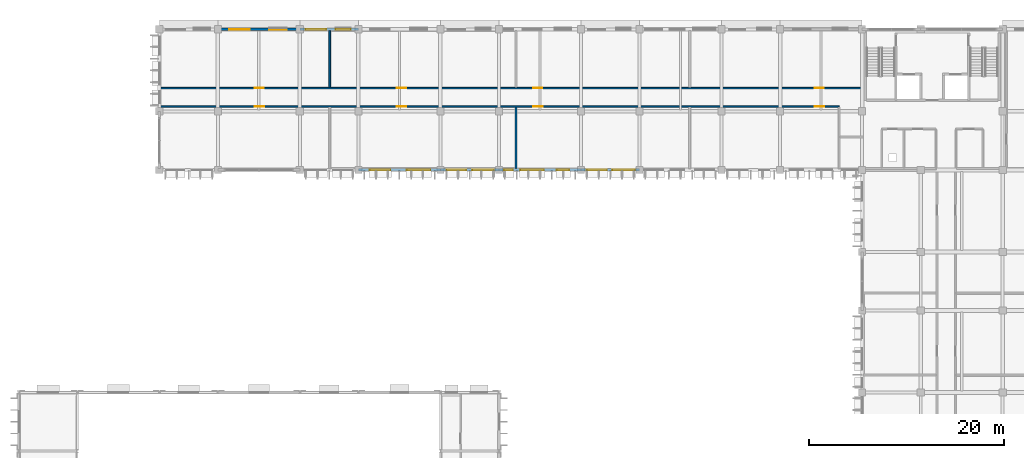
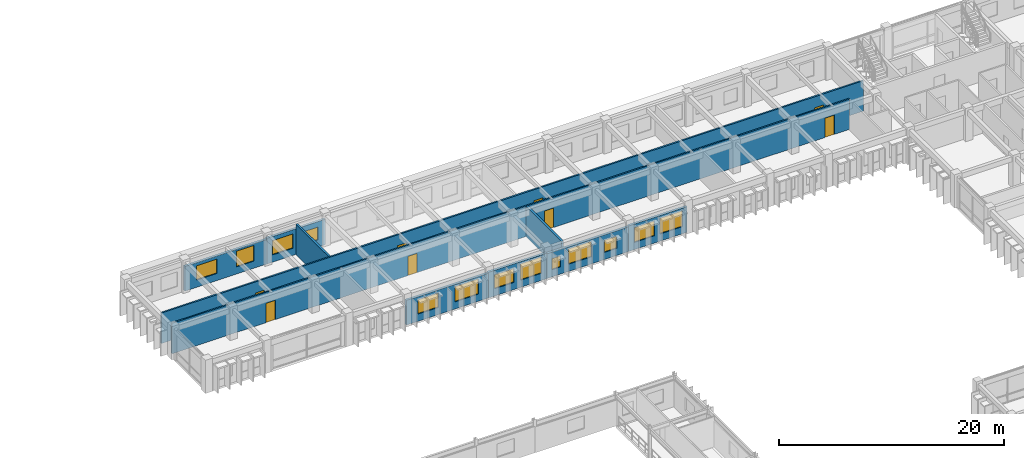
# One storey, part 59 of 88: 13 windows, 10 walls, 8 doors, 21 openings.
"""IFC4 building model written with IfcOpenShell, lengths in metres."""

from ifc_helpers import new_model, si_unit, direction, frame, frame_2d, origin, place, context, subcontext, project, spatial, rectangle, extrude, material, layer, layer_set, type_object, element, fill, save


model = new_model("IFC4")

# Units and contexts
model_context = context("Model", 3, precision=1e-05, world=origin(), true_north=direction((0.0, 1.0)))
body_context = subcontext(model_context, "Body", "Model", "MODEL_VIEW")
ifc_project = project(units=[si_unit("LENGTHUNIT", "METRE"), si_unit("AREAUNIT", "SQUARE_METRE"), si_unit("VOLUMEUNIT", "CUBIC_METRE"), si_unit("PLANEANGLEUNIT", "RADIAN"), si_unit("MASSUNIT", "GRAM", prefix="KILO"), si_unit("THERMODYNAMICTEMPERATUREUNIT", "KELVIN")], contexts=[model_context])

# Site, building, storey
site_placement = place(None, origin())
site = spatial("IfcSite", under=ifc_project, at=site_placement, CompositionType="ELEMENT")
building_placement = place(site_placement, origin())
building = spatial("IfcBuilding", under=site, at=building_placement, Name="Thalorik Housing Commons", CompositionType="ELEMENT")
storey_placement = place(building_placement, frame((0.0, 0.0, 4.5)))
storey = spatial("IfcBuildingStorey", under=building, at=storey_placement, Name="L01", CompositionType="ELEMENT", Elevation=4.5)

# Wall, openings, doors
ifc_material_1 = material(Name="Masonry fire-rated corridor wall", Category="masonry")
ifc_layer_1 = layer(ifc_material_1, 0.14990234375, Name="Masonry fire-rated corridor wall", Category="masonry")
ifc_layer_set_1 = layer_set([ifc_layer_1], Name="Masonry fire-rated corridor wall")
wall_type_1 = type_object("IfcWallType", Name="ARC-WAL-CORR-150", PredefinedType="PARTITIONING", material=ifc_layer_set_1)
wall_1_placement = place(storey_placement, frame((80.5244140625, 115.719970703125, 0.0), z_axis=(0.0, 0.0, 1.0), x_axis=(1.0, 0.0, 0.0)))
wall_1 = element("IfcWall", 1, at=wall_1_placement, inside=storey, type_object=wall_type_1, Name="L01 Block B N Corridor Wall 1", PredefinedType="PARTITIONING", context=body_context, shape_type="SweptSolid", body=[
    extrude(rectangle(XDim=69.525634765625, YDim=0.14990234375, at=frame_2d((34.7626953125, 0.0))), origin(), (0.0, 0.0, 1.0), 3.300048828125),
])
opening_1_placement = place(wall_1_placement, frame((9.65576171875, 0.0, 0.0)))
opening_1 = element("IfcOpeningElement", 2, at=opening_1_placement, cuts=wall_1, Name="Opening ID-1010", PredefinedType="OPENING", context=body_context, shape_type="SweptSolid", body=[
    extrude(rectangle(XDim=0.949951171875, YDim=2.10009765625, at=frame_2d((0.47509765625, 1.050048828125))), frame((0.0, 0.0849609375, 0.0), z_axis=(0.0, -1.0, 0.0), x_axis=(1.0, 0.0, 0.0)), (0.0, 0.0, 1.0), 0.169921875),
])
opening_2_placement = place(wall_1_placement, frame((24.200439453125, 0.0, 0.0)))
opening_2 = element("IfcOpeningElement", 3, at=opening_2_placement, cuts=wall_1, Name="Opening ID-1011", PredefinedType="OPENING", context=body_context, shape_type="SweptSolid", body=[
    extrude(rectangle(XDim=0.949951171875, YDim=2.10009765625, at=frame_2d((0.47509765625, 1.050048828125))), frame((0.0, 0.0849609375, 0.0), z_axis=(0.0, -1.0, 0.0), x_axis=(1.0, 0.0, 0.0)), (0.0, 0.0, 1.0), 0.169921875),
])
opening_3_placement = place(wall_1_placement, frame((38.20751953125, 0.0, 0.0)))
opening_3 = element("IfcOpeningElement", 4, at=opening_3_placement, cuts=wall_1, Name="Opening ID-1012", PredefinedType="OPENING", context=body_context, shape_type="SweptSolid", body=[
    extrude(rectangle(XDim=0.949951171875, YDim=2.10009765625, at=frame_2d((0.47509765625, 1.050048828125))), frame((0.0, 0.0849609375, 0.0), z_axis=(0.0, -1.0, 0.0), x_axis=(1.0, 0.0, 0.0)), (0.0, 0.0, 1.0), 0.169921875),
])
opening_4_placement = place(wall_1_placement, frame((67.026123046875, 0.0, 0.0)))
opening_4 = element("IfcOpeningElement", 5, at=opening_4_placement, cuts=wall_1, Name="Opening ID-1013", PredefinedType="OPENING", context=body_context, shape_type="SweptSolid", body=[
    extrude(rectangle(XDim=0.949951171875, YDim=2.10009765625, at=frame_2d((0.47509765625, 1.050048828125))), frame((0.0, 0.0849609375, 0.0), z_axis=(0.0, -1.0, 0.0), x_axis=(1.0, 0.0, 0.0)), (0.0, 0.0, 1.0), 0.169921875),
])
ifc_material_2 = material(Name="Steel S355", Category="steel")
door_type_1 = type_object("IfcDoorType", Name="ARC-DR-FD60-950", OperationType="NOTDEFINED", PredefinedType="DOOR", material=ifc_material_2)
door_1_placement = place(opening_1_placement, origin())
door_1 = element("IfcDoor", 6, at=door_1_placement, inside=storey, type_object=door_type_1, Name="L01 Community Study Hall Entrance Door", OperationType="SINGLE_SWING_LEFT", OverallHeight=2.10009765625, OverallWidth=0.949951171875, PredefinedType="DOOR", context=body_context, shape_type="SweptSolid", body=[
    extrude(rectangle(XDim=0.949951171875, YDim=2.10009765625, at=frame_2d((0.47509765625, 1.050048828125))), frame((0.0, 0.02490234375, 0.0), z_axis=(0.0, -1.0, 0.0), x_axis=(1.0, 0.0, 0.0)), (0.0, 0.0, 1.0), 0.050048828125),
])
fill(opening_1, door_1)
door_2_placement = place(opening_2_placement, origin())
door_2 = element("IfcDoor", 7, at=door_2_placement, inside=storey, type_object=door_type_1, Name="L01 Shared Sewing Workshop Entrance Door", OperationType="SINGLE_SWING_RIGHT", OverallHeight=2.10009765625, OverallWidth=0.949951171875, PredefinedType="DOOR", context=body_context, shape_type="SweptSolid", body=[
    extrude(rectangle(XDim=0.949951171875, YDim=2.10009765625, at=frame_2d((0.47509765625, 1.050048828125))), frame((0.0, 0.02490234375, 0.0), z_axis=(0.0, -1.0, 0.0), x_axis=(1.0, 0.0, 0.0)), (0.0, 0.0, 1.0), 0.050048828125),
])
fill(opening_2, door_2)
door_3_placement = place(opening_3_placement, origin())
door_3 = element("IfcDoor", 8, at=door_3_placement, inside=storey, type_object=door_type_1, Name="L01 Digital Media Room Entrance Door", OperationType="SINGLE_SWING_LEFT", OverallHeight=2.10009765625, OverallWidth=0.949951171875, PredefinedType="DOOR", context=body_context, shape_type="SweptSolid", body=[
    extrude(rectangle(XDim=0.949951171875, YDim=2.10009765625, at=frame_2d((0.47509765625, 1.050048828125))), frame((0.0, 0.02490234375, 0.0), z_axis=(0.0, -1.0, 0.0), x_axis=(1.0, 0.0, 0.0)), (0.0, 0.0, 1.0), 0.050048828125),
])
fill(opening_3, door_3)
door_4_placement = place(opening_4_placement, origin())
door_4 = element("IfcDoor", 9, at=door_4_placement, inside=storey, type_object=door_type_1, Name="L01 Youth Reading Room Entrance Door", OperationType="SINGLE_SWING_RIGHT", OverallHeight=2.10009765625, OverallWidth=0.949951171875, PredefinedType="DOOR", context=body_context, shape_type="SweptSolid", body=[
    extrude(rectangle(XDim=0.949951171875, YDim=2.10009765625, at=frame_2d((0.47509765625, 1.050048828125))), frame((0.0, 0.02490234375, 0.0), z_axis=(0.0, -1.0, 0.0), x_axis=(1.0, 0.0, 0.0)), (0.0, 0.0, 1.0), 0.050048828125),
])
fill(opening_4, door_4)

ifc_layer_2 = layer(ifc_material_1, 0.1650390625, Name="Masonry fire-rated corridor wall", Category="masonry")
ifc_layer_set_2 = layer_set([ifc_layer_2], Name="Masonry fire-rated corridor wall")
wall_type_2 = type_object("IfcWallType", Name="ARC-WAL-CORR-165", PredefinedType="PARTITIONING", material=ifc_layer_set_2)
wall_2_placement = place(storey_placement, frame((80.5244140625, 117.580078125, 0.0), z_axis=(0.0, 0.0, 1.0), x_axis=(1.0, 0.0, 0.0)))
wall_2 = element("IfcWall", 10, at=wall_2_placement, inside=storey, type_object=wall_type_2, Name="L01 Block B N Corridor Wall 2", PredefinedType="PARTITIONING", context=body_context, shape_type="SweptSolid", body=[
    extrude(rectangle(XDim=72.015625, YDim=0.1650390625, at=frame_2d((36.0078125, 0.0))), origin(), (0.0, 0.0, 1.0), 3.300048828125),
])
opening_5_placement = place(wall_2_placement, frame((9.64990234375, 0.0, 0.0)))
opening_5 = element("IfcOpeningElement", 11, at=opening_5_placement, cuts=wall_2, Name="Opening ID-1014", PredefinedType="OPENING", context=body_context, shape_type="SweptSolid", body=[
    extrude(rectangle(XDim=0.919921875, YDim=2.10009765625, at=frame_2d((0.4599609375, 1.050048828125))), frame((0.0, 0.092529296875, 0.0), z_axis=(0.0, -1.0, 0.0), x_axis=(1.0, 0.0, 0.0)), (0.0, 0.0, 1.0), 0.18505859375),
])
opening_6_placement = place(wall_2_placement, frame((24.19677734375, 0.0, 0.0)))
opening_6 = element("IfcOpeningElement", 12, at=opening_6_placement, cuts=wall_2, Name="Opening ID-1015", PredefinedType="OPENING", context=body_context, shape_type="SweptSolid", body=[
    extrude(rectangle(XDim=0.9599609375, YDim=2.1201171875, at=frame_2d((0.47998046875, 1.06005859375))), frame((0.0, 0.092529296875, 0.0), z_axis=(0.0, -1.0, 0.0), x_axis=(1.0, 0.0, 0.0)), (0.0, 0.0, 1.0), 0.18505859375),
])
opening_7_placement = place(wall_2_placement, frame((38.206298828125, 0.0, 0.0)))
opening_7 = element("IfcOpeningElement", 13, at=opening_7_placement, cuts=wall_2, Name="Opening ID-1016", PredefinedType="OPENING", context=body_context, shape_type="SweptSolid", body=[
    extrude(rectangle(XDim=0.919921875, YDim=2.10009765625, at=frame_2d((0.4599609375, 1.050048828125))), frame((0.0, 0.092529296875, 0.0), z_axis=(0.0, -1.0, 0.0), x_axis=(1.0, 0.0, 0.0)), (0.0, 0.0, 1.0), 0.18505859375),
])
opening_8_placement = place(wall_2_placement, frame((67.01708984375, 0.0, 0.0)))
opening_8 = element("IfcOpeningElement", 14, at=opening_8_placement, cuts=wall_2, Name="Opening ID-1017", PredefinedType="OPENING", context=body_context, shape_type="SweptSolid", body=[
    extrude(rectangle(XDim=0.919921875, YDim=2.10009765625, at=frame_2d((0.4599609375, 1.050048828125))), frame((0.0, 0.092529296875, 0.0), z_axis=(0.0, -1.0, 0.0), x_axis=(1.0, 0.0, 0.0)), (0.0, 0.0, 1.0), 0.18505859375),
])
ifc_material_3 = material(Name="Solid core hardwood timber", Category="wood")
door_type_2 = type_object("IfcDoorType", Name="ARC-DR-FD30-920", OperationType="NOTDEFINED", PredefinedType="DOOR", material=ifc_material_3)
door_5_placement = place(opening_5_placement, origin())
door_5 = element("IfcDoor", 15, at=door_5_placement, inside=storey, type_object=door_type_2, Name="L01 Music and Craft Practice Room Door", OperationType="SINGLE_SWING_LEFT", OverallHeight=2.10009765625, OverallWidth=0.919921875, PredefinedType="DOOR", context=body_context, shape_type="SweptSolid", body=[
    extrude(rectangle(XDim=0.919921875, YDim=2.10009765625, at=frame_2d((0.4599609375, 1.050048828125))), frame((0.0, 0.02490234375, 0.0), z_axis=(0.0, -1.0, 0.0), x_axis=(1.0, 0.0, 0.0)), (0.0, 0.0, 1.0), 0.050048828125),
])
fill(opening_5, door_5)
door_6_placement = place(opening_7_placement, origin())
door_6 = element("IfcDoor", 16, at=door_6_placement, inside=storey, type_object=door_type_2, Name="L01 Residents Health and Quiet Room Door", OperationType="SINGLE_SWING_LEFT", OverallHeight=2.10009765625, OverallWidth=0.919921875, PredefinedType="DOOR", context=body_context, shape_type="SweptSolid", body=[
    extrude(rectangle(XDim=0.919921875, YDim=2.10009765625, at=frame_2d((0.4599609375, 1.050048828125))), frame((0.0, 0.02490234375, 0.0), z_axis=(0.0, -1.0, 0.0), x_axis=(1.0, 0.0, 0.0)), (0.0, 0.0, 1.0), 0.050048828125),
])
fill(opening_7, door_6)
door_7_placement = place(opening_8_placement, origin())
door_7 = element("IfcDoor", 17, at=door_7_placement, inside=storey, type_object=door_type_2, Name="L01 Residents Study Room Door", OperationType="SINGLE_SWING_RIGHT", OverallHeight=2.10009765625, OverallWidth=0.919921875, PredefinedType="DOOR", context=body_context, shape_type="SweptSolid", body=[
    extrude(rectangle(XDim=0.919921875, YDim=2.10009765625, at=frame_2d((0.4599609375, 1.050048828125))), frame((0.0, 0.02490234375, 0.0), z_axis=(0.0, -1.0, 0.0), x_axis=(1.0, 0.0, 0.0)), (0.0, 0.0, 1.0), 0.050048828125),
])
fill(opening_8, door_7)
door_type_3 = type_object("IfcDoorType", Name="ARC-DR-FD30-960", OperationType="NOTDEFINED", PredefinedType="DOOR", material=ifc_material_3)
door_8_placement = place(opening_6_placement, origin())
door_8 = element("IfcDoor", 18, at=door_8_placement, inside=storey, type_object=door_type_3, Name="L01 Ceramics and Print Workshop Door", OperationType="SINGLE_SWING_RIGHT", OverallHeight=2.1201171875, OverallWidth=0.9599609375, PredefinedType="DOOR", context=body_context, shape_type="SweptSolid", body=[
    extrude(rectangle(XDim=0.9599609375, YDim=2.1201171875, at=frame_2d((0.47998046875, 1.06005859375))), frame((0.0, 0.02490234375, 0.0), z_axis=(0.0, -1.0, 0.0), x_axis=(1.0, 0.0, 0.0)), (0.0, 0.0, 1.0), 0.050048828125),
])
fill(opening_6, door_8)

# Wall, openings, windows
ifc_material_4 = material(Name="White precast concrete C40/50", Category="concrete")
ifc_layer_3 = layer(ifc_material_4, 0.2451171875, Name="White precast concrete C40/50", Category="concrete")
ifc_layer_set_3 = layer_set([ifc_layer_3], Name="White precast concrete C40/50")
wall_type_3 = type_object("IfcWallType", Name="ARC-WAL-EXT-245", PredefinedType="STANDARD", material=ifc_layer_set_3)
wall_3_placement = place(storey_placement, frame((100.800048828125, 123.60009765625, 0.0), z_axis=(0.0, 0.0, 1.0), x_axis=(-1.0, 0.0, 0.0)))
wall_3 = element("IfcWall", 19, at=wall_3_placement, inside=storey, type_object=wall_type_3, Name="L01 Exterior Wall WAL-EXT-L01-B-0419", PredefinedType="STANDARD", context=body_context, shape_type="SweptSolid", body=[
    extrude(rectangle(XDim=6.0, YDim=0.2451171875, at=frame_2d((3.0, 0.0))), origin(), (0.0, 0.0, 1.0), 2.77490234375),
])
opening_9_placement = place(wall_3_placement, frame((0.7900390625, 0.0, 0.780029296875)))
opening_9 = element("IfcOpeningElement", 20, at=opening_9_placement, cuts=wall_3, Name="Opening W-12", PredefinedType="OPENING", context=body_context, shape_type="SweptSolid", body=[
    extrude(rectangle(XDim=1.550048828125, YDim=1.39990234375, at=frame_2d((0.77490234375, 0.699951171875))), frame((0.0, 0.132568359375, 0.0), z_axis=(0.0, -1.0, 0.0), x_axis=(1.0, 0.0, 0.0)), (0.0, 0.0, 1.0), 0.26513671875),
])
opening_10_placement = place(wall_3_placement, frame((3.324951171875, 0.0, 0.780029296875)))
opening_10 = element("IfcOpeningElement", 21, at=opening_10_placement, cuts=wall_3, Name="Opening W-26", PredefinedType="OPENING", context=body_context, shape_type="SweptSolid", body=[
    extrude(rectangle(XDim=2.10009765625, YDim=1.550048828125, at=frame_2d((1.050048828125, 0.77490234375))), frame((0.0, 0.132568359375, 0.0), z_axis=(0.0, -1.0, 0.0), x_axis=(1.0, 0.0, 0.0)), (0.0, 0.0, 1.0), 0.26513671875),
])
ifc_material_5 = material(Name="Anodised aluminium and solar-control low-E glass", Category="aluminium")
window_type_1 = type_object("IfcWindowType", Name="ARC-WIN-12", PartitioningType="SINGLE_PANEL", PredefinedType="WINDOW", material=ifc_material_5)
window_1_placement = place(opening_9_placement, origin())
window_1 = element("IfcWindow", 22, at=window_1_placement, inside=storey, type_object=window_type_1, Name="L01 Facade Window 746", OverallHeight=1.39990234375, OverallWidth=1.550048828125, PartitioningType="SINGLE_PANEL", PredefinedType="WINDOW", context=body_context, shape_type="SweptSolid", body=[
    extrude(rectangle(XDim=1.550048828125, YDim=1.39990234375, at=frame_2d((0.77490234375, 0.699951171875))), frame((0.0, 0.030029296875, 0.0), z_axis=(0.0, -1.0, 0.0), x_axis=(1.0, 0.0, 0.0)), (0.0, 0.0, 1.0), 0.06005859375),
])
fill(opening_9, window_1)
window_type_2 = type_object("IfcWindowType", Name="ARC-WIN-26", PartitioningType="DOUBLE_PANEL_VERTICAL", PredefinedType="WINDOW", material=ifc_material_5)
window_2_placement = place(opening_10_placement, origin())
window_2 = element("IfcWindow", 23, at=window_2_placement, inside=storey, type_object=window_type_2, Name="L01 Facade Window 747", OverallHeight=1.550048828125, OverallWidth=2.10009765625, PartitioningType="DOUBLE_PANEL_VERTICAL", PredefinedType="WINDOW", context=body_context, shape_type="SweptSolid", body=[
    extrude(rectangle(XDim=2.10009765625, YDim=1.550048828125, at=frame_2d((1.050048828125, 0.77490234375))), frame((0.0, 0.030029296875, 0.0), z_axis=(0.0, -1.0, 0.0), x_axis=(1.0, 0.0, 0.0)), (0.0, 0.0, 1.0), 0.06005859375),
])
fill(opening_10, window_2)

wall_4_placement = place(storey_placement, frame((94.800048828125, 123.60009765625, 0.0), z_axis=(0.0, 0.0, 1.0), x_axis=(-1.0, 0.0, 0.0)))
wall_4 = element("IfcWall", 24, at=wall_4_placement, inside=storey, type_object=wall_type_3, Name="L01 Exterior Wall WAL-EXT-L01-B-0420", PredefinedType="STANDARD", context=body_context, shape_type="SweptSolid", body=[
    extrude(rectangle(XDim=8.400146484375, YDim=0.2451171875, at=frame_2d((4.2001953125, 0.0))), origin(), (0.0, 0.0, 1.0), 2.675048828125),
])
opening_11_placement = place(wall_4_placement, frame((1.330078125, 0.0, 0.780029296875)))
opening_11 = element("IfcOpeningElement", 25, at=opening_11_placement, cuts=wall_4, Name="Opening W-19", PredefinedType="OPENING", context=body_context, shape_type="SweptSolid", body=[
    extrude(rectangle(XDim=1.800048828125, YDim=1.699951171875, at=frame_2d((0.89990234375, 0.85009765625))), frame((0.0, 0.132568359375, 0.0), z_axis=(0.0, -1.0, 0.0), x_axis=(1.0, 0.0, 0.0)), (0.0, 0.0, 1.0), 0.26513671875),
])
opening_12_placement = place(wall_4_placement, frame((5.1201171875, 0.0, 0.780029296875)))
opening_12 = element("IfcOpeningElement", 26, at=opening_12_placement, cuts=wall_4, Name="Opening W-26", PredefinedType="OPENING", context=body_context, shape_type="SweptSolid", body=[
    extrude(rectangle(XDim=2.10009765625, YDim=1.550048828125, at=frame_2d((1.050048828125, 0.77490234375))), frame((0.0, 0.132568359375, 0.0), z_axis=(0.0, -1.0, 0.0), x_axis=(1.0, 0.0, 0.0)), (0.0, 0.0, 1.0), 0.26513671875),
])
window_type_3 = type_object("IfcWindowType", Name="ARC-WIN-19", PartitioningType="DOUBLE_PANEL_VERTICAL", PredefinedType="WINDOW", material=ifc_material_5)
window_3_placement = place(opening_11_placement, origin())
window_3 = element("IfcWindow", 27, at=window_3_placement, inside=storey, type_object=window_type_3, Name="L01 Facade Window 748", OverallHeight=1.699951171875, OverallWidth=1.800048828125, PartitioningType="DOUBLE_PANEL_VERTICAL", PredefinedType="WINDOW", context=body_context, shape_type="SweptSolid", body=[
    extrude(rectangle(XDim=1.800048828125, YDim=1.699951171875, at=frame_2d((0.89990234375, 0.85009765625))), frame((0.0, 0.030029296875, 0.0), z_axis=(0.0, -1.0, 0.0), x_axis=(1.0, 0.0, 0.0)), (0.0, 0.0, 1.0), 0.06005859375),
])
fill(opening_11, window_3)
window_4_placement = place(opening_12_placement, origin())
window_4 = element("IfcWindow", 28, at=window_4_placement, inside=storey, type_object=window_type_2, Name="L01 Facade Window 749", OverallHeight=1.550048828125, OverallWidth=2.10009765625, PartitioningType="DOUBLE_PANEL_VERTICAL", PredefinedType="WINDOW", context=body_context, shape_type="SweptSolid", body=[
    extrude(rectangle(XDim=2.10009765625, YDim=1.550048828125, at=frame_2d((1.050048828125, 0.77490234375))), frame((0.0, 0.030029296875, 0.0), z_axis=(0.0, -1.0, 0.0), x_axis=(1.0, 0.0, 0.0)), (0.0, 0.0, 1.0), 0.06005859375),
])
fill(opening_12, window_4)

wall_5_placement = place(storey_placement, frame((100.800048828125, 109.199951171875, 0.0), z_axis=(0.0, 0.0, 1.0), x_axis=(1.0, 0.0, 0.0)))
wall_5 = element("IfcWall", 29, at=wall_5_placement, inside=storey, type_object=wall_type_3, Name="L01 Exterior Wall WAL-EXT-L01-B-0427", PredefinedType="STANDARD", context=body_context, shape_type="SweptSolid", body=[
    extrude(rectangle(XDim=8.39990234375, YDim=0.2451171875, at=frame_2d((4.199951171875, 0.0))), origin(), (0.0, 0.0, 1.0), 2.675048828125),
])
opening_13_placement = place(wall_5_placement, frame((1.179931640625, 0.0, 0.780029296875)))
opening_13 = element("IfcOpeningElement", 30, at=opening_13_placement, cuts=wall_5, Name="Opening W-26", PredefinedType="OPENING", context=body_context, shape_type="SweptSolid", body=[
    extrude(rectangle(XDim=2.10009765625, YDim=1.550048828125, at=frame_2d((1.050048828125, 0.77490234375))), frame((0.0, 0.132568359375, 0.0), z_axis=(0.0, -1.0, 0.0), x_axis=(1.0, 0.0, 0.0)), (0.0, 0.0, 1.0), 0.26513671875),
])
opening_14_placement = place(wall_5_placement, frame((4.969970703125, 0.0, 0.780029296875)))
opening_14 = element("IfcOpeningElement", 31, at=opening_14_placement, cuts=wall_5, Name="Opening W-34", PredefinedType="OPENING", context=body_context, shape_type="SweptSolid", body=[
    extrude(rectangle(XDim=2.39990234375, YDim=1.64990234375, at=frame_2d((1.199951171875, 0.824951171875))), frame((0.0, 0.132568359375, 0.0), z_axis=(0.0, -1.0, 0.0), x_axis=(1.0, 0.0, 0.0)), (0.0, 0.0, 1.0), 0.26513671875),
])
window_5_placement = place(opening_13_placement, origin())
window_5 = element("IfcWindow", 32, at=window_5_placement, inside=storey, type_object=window_type_2, Name="L01 Facade Window 759", OverallHeight=1.550048828125, OverallWidth=2.10009765625, PartitioningType="DOUBLE_PANEL_VERTICAL", PredefinedType="WINDOW", context=body_context, shape_type="SweptSolid", body=[
    extrude(rectangle(XDim=2.10009765625, YDim=1.550048828125, at=frame_2d((1.050048828125, 0.77490234375))), frame((0.0, 0.030029296875, 0.0), z_axis=(0.0, -1.0, 0.0), x_axis=(1.0, 0.0, 0.0)), (0.0, 0.0, 1.0), 0.06005859375),
])
fill(opening_13, window_5)
window_type_4 = type_object("IfcWindowType", Name="ARC-WIN-34", PartitioningType="DOUBLE_PANEL_VERTICAL", PredefinedType="WINDOW", material=ifc_material_5)
window_6_placement = place(opening_14_placement, origin())
window_6 = element("IfcWindow", 33, at=window_6_placement, inside=storey, type_object=window_type_4, Name="L01 Facade Window 760", OverallHeight=1.64990234375, OverallWidth=2.39990234375, PartitioningType="DOUBLE_PANEL_VERTICAL", PredefinedType="WINDOW", context=body_context, shape_type="SweptSolid", body=[
    extrude(rectangle(XDim=2.39990234375, YDim=1.64990234375, at=frame_2d((1.199951171875, 0.824951171875))), frame((0.0, 0.030029296875, 0.0), z_axis=(0.0, -1.0, 0.0), x_axis=(1.0, 0.0, 0.0)), (0.0, 0.0, 1.0), 0.06005859375),
])
fill(opening_14, window_6)

wall_6_placement = place(storey_placement, frame((109.199951171875, 109.199951171875, 0.0), z_axis=(0.0, 0.0, 1.0), x_axis=(1.0, 0.0, 0.0)))
wall_6 = element("IfcWall", 34, at=wall_6_placement, inside=storey, type_object=wall_type_3, Name="L01 Exterior Wall WAL-EXT-L01-B-0428", PredefinedType="STANDARD", context=body_context, shape_type="SweptSolid", body=[
    extrude(rectangle(XDim=6.0, YDim=0.2451171875, at=frame_2d((3.0, 0.0))), origin(), (0.0, 0.0, 1.0), 2.77490234375),
])
opening_15_placement = place(wall_6_placement, frame((0.6298828125, 0.0, 0.780029296875)))
opening_15 = element("IfcOpeningElement", 35, at=opening_15_placement, cuts=wall_6, Name="Opening W-23", PredefinedType="OPENING", context=body_context, shape_type="SweptSolid", body=[
    extrude(rectangle(XDim=2.0, YDim=1.5, at=frame_2d((1.0, 0.75))), frame((0.0, 0.132568359375, 0.0), z_axis=(0.0, -1.0, 0.0), x_axis=(1.0, 0.0, 0.0)), (0.0, 0.0, 1.0), 0.26513671875),
])
opening_16_placement = place(wall_6_placement, frame((3.27001953125, 0.0, 0.780029296875)))
opening_16 = element("IfcOpeningElement", 36, at=opening_16_placement, cuts=wall_6, Name="Opening W-30", PredefinedType="OPENING", context=body_context, shape_type="SweptSolid", body=[
    extrude(rectangle(XDim=2.199951171875, YDim=1.75, at=frame_2d((1.10009765625, 0.875))), frame((0.0, 0.132568359375, 0.0), z_axis=(0.0, -1.0, 0.0), x_axis=(1.0, 0.0, 0.0)), (0.0, 0.0, 1.0), 0.26513671875),
])
window_type_5 = type_object("IfcWindowType", Name="ARC-WIN-23", PartitioningType="DOUBLE_PANEL_VERTICAL", PredefinedType="WINDOW", material=ifc_material_5)
window_7_placement = place(opening_15_placement, origin())
window_7 = element("IfcWindow", 37, at=window_7_placement, inside=storey, type_object=window_type_5, Name="L01 Facade Window 761", OverallHeight=1.5, OverallWidth=2.0, PartitioningType="DOUBLE_PANEL_VERTICAL", PredefinedType="WINDOW", context=body_context, shape_type="SweptSolid", body=[
    extrude(rectangle(XDim=2.0, YDim=1.5, at=frame_2d((1.0, 0.75))), frame((0.0, 0.030029296875, 0.0), z_axis=(0.0, -1.0, 0.0), x_axis=(1.0, 0.0, 0.0)), (0.0, 0.0, 1.0), 0.06005859375),
])
fill(opening_15, window_7)
window_type_6 = type_object("IfcWindowType", Name="ARC-WIN-30", PartitioningType="DOUBLE_PANEL_VERTICAL", PredefinedType="WINDOW", material=ifc_material_5)
window_8_placement = place(opening_16_placement, origin())
window_8 = element("IfcWindow", 38, at=window_8_placement, inside=storey, type_object=window_type_6, Name="L01 Facade Window 762", OverallHeight=1.75, OverallWidth=2.199951171875, PartitioningType="DOUBLE_PANEL_VERTICAL", PredefinedType="WINDOW", context=body_context, shape_type="SweptSolid", body=[
    extrude(rectangle(XDim=2.199951171875, YDim=1.75, at=frame_2d((1.10009765625, 0.875))), frame((0.0, 0.030029296875, 0.0), z_axis=(0.0, -1.0, 0.0), x_axis=(1.0, 0.0, 0.0)), (0.0, 0.0, 1.0), 0.06005859375),
])
fill(opening_16, window_8)

wall_7_placement = place(storey_placement, frame((115.199951171875, 109.199951171875, 0.0), z_axis=(0.0, 0.0, 1.0), x_axis=(1.0, 0.0, 0.0)))
wall_7 = element("IfcWall", 39, at=wall_7_placement, inside=storey, type_object=wall_type_3, Name="L01 Exterior Wall WAL-EXT-L01-B-0429", PredefinedType="STANDARD", context=body_context, shape_type="SweptSolid", body=[
    extrude(rectangle(XDim=8.400146484375, YDim=0.2451171875, at=frame_2d((4.2001953125, 0.0))), origin(), (0.0, 0.0, 1.0), 2.675048828125),
])
opening_17_placement = place(wall_7_placement, frame((0.52001953125, 0.0, 0.780029296875)))
opening_17 = element("IfcOpeningElement", 40, at=opening_17_placement, cuts=wall_7, Name="Opening W-01", PredefinedType="OPENING", context=body_context, shape_type="SweptSolid", body=[
    extrude(rectangle(XDim=0.89990234375, YDim=1.199951171875, at=frame_2d((0.449951171875, 0.60009765625))), frame((0.0, 0.132568359375, 0.0), z_axis=(0.0, -1.0, 0.0), x_axis=(1.0, 0.0, 0.0)), (0.0, 0.0, 1.0), 0.26513671875),
])
opening_18_placement = place(wall_7_placement, frame((2.199951171875, 0.0, 0.780029296875)))
opening_18 = element("IfcOpeningElement", 41, at=opening_18_placement, cuts=wall_7, Name="Opening W-34", PredefinedType="OPENING", context=body_context, shape_type="SweptSolid", body=[
    extrude(rectangle(XDim=2.39990234375, YDim=1.64990234375, at=frame_2d((1.199951171875, 0.824951171875))), frame((0.0, 0.132568359375, 0.0), z_axis=(0.0, -1.0, 0.0), x_axis=(1.0, 0.0, 0.0)), (0.0, 0.0, 1.0), 0.26513671875),
])
opening_19_placement = place(wall_7_placement, frame((5.93505859375, 0.0, 0.780029296875)))
opening_19 = element("IfcOpeningElement", 42, at=opening_19_placement, cuts=wall_7, Name="Opening W-46", PredefinedType="OPENING", context=body_context, shape_type="SweptSolid", body=[
    extrude(rectangle(XDim=1.25, YDim=1.300048828125, at=frame_2d((0.625, 0.64990234375))), frame((0.0, 0.132568359375, 0.0), z_axis=(0.0, -1.0, 0.0), x_axis=(1.0, 0.0, 0.0)), (0.0, 0.0, 1.0), 0.26513671875),
])
window_type_7 = type_object("IfcWindowType", Name="ARC-WIN-01", PartitioningType="SINGLE_PANEL", PredefinedType="WINDOW", material=ifc_material_5)
window_9_placement = place(opening_17_placement, origin())
window_9 = element("IfcWindow", 43, at=window_9_placement, inside=storey, type_object=window_type_7, Name="L01 Facade Window 763", OverallHeight=1.199951171875, OverallWidth=0.89990234375, PartitioningType="SINGLE_PANEL", PredefinedType="WINDOW", context=body_context, shape_type="SweptSolid", body=[
    extrude(rectangle(XDim=0.89990234375, YDim=1.199951171875, at=frame_2d((0.449951171875, 0.60009765625))), frame((0.0, 0.030029296875, 0.0), z_axis=(0.0, -1.0, 0.0), x_axis=(1.0, 0.0, 0.0)), (0.0, 0.0, 1.0), 0.06005859375),
])
fill(opening_17, window_9)
window_10_placement = place(opening_18_placement, origin())
window_10 = element("IfcWindow", 44, at=window_10_placement, inside=storey, type_object=window_type_4, Name="L01 Facade Window 764", OverallHeight=1.64990234375, OverallWidth=2.39990234375, PartitioningType="DOUBLE_PANEL_VERTICAL", PredefinedType="WINDOW", context=body_context, shape_type="SweptSolid", body=[
    extrude(rectangle(XDim=2.39990234375, YDim=1.64990234375, at=frame_2d((1.199951171875, 0.824951171875))), frame((0.0, 0.030029296875, 0.0), z_axis=(0.0, -1.0, 0.0), x_axis=(1.0, 0.0, 0.0)), (0.0, 0.0, 1.0), 0.06005859375),
])
fill(opening_18, window_10)
window_type_8 = type_object("IfcWindowType", Name="ARC-WIN-46", PartitioningType="SINGLE_PANEL", PredefinedType="WINDOW", material=ifc_material_5)
window_11_placement = place(opening_19_placement, origin())
window_11 = element("IfcWindow", 45, at=window_11_placement, inside=storey, type_object=window_type_8, Name="L01 Facade Window 765", OverallHeight=1.300048828125, OverallWidth=1.25, PartitioningType="SINGLE_PANEL", PredefinedType="WINDOW", context=body_context, shape_type="SweptSolid", body=[
    extrude(rectangle(XDim=1.25, YDim=1.300048828125, at=frame_2d((0.625, 0.64990234375))), frame((0.0, 0.030029296875, 0.0), z_axis=(0.0, -1.0, 0.0), x_axis=(1.0, 0.0, 0.0)), (0.0, 0.0, 1.0), 0.06005859375),
])
fill(opening_19, window_11)

wall_8_placement = place(storey_placement, frame((123.60009765625, 109.199951171875, 0.0), z_axis=(0.0, 0.0, 1.0), x_axis=(1.0, 0.0, 0.0)))
wall_8 = element("IfcWall", 46, at=wall_8_placement, inside=storey, type_object=wall_type_3, Name="L01 Exterior Wall WAL-EXT-L01-B-0430", PredefinedType="STANDARD", context=body_context, shape_type="SweptSolid", body=[
    extrude(rectangle(XDim=6.0, YDim=0.2451171875, at=frame_2d((3.0, 0.0))), origin(), (0.0, 0.0, 1.0), 2.77490234375),
])
opening_20_placement = place(wall_8_placement, frame((0.60498046875, 0.0, 0.780029296875)))
opening_20 = element("IfcOpeningElement", 47, at=opening_20_placement, cuts=wall_8, Name="Opening W-25", PredefinedType="OPENING", context=body_context, shape_type="SweptSolid", body=[
    extrude(rectangle(XDim=2.050048828125, YDim=1.60009765625, at=frame_2d((1.02490234375, 0.800048828125))), frame((0.0, 0.132568359375, 0.0), z_axis=(0.0, -1.0, 0.0), x_axis=(1.0, 0.0, 0.0)), (0.0, 0.0, 1.0), 0.26513671875),
])
opening_21_placement = place(wall_8_placement, frame((3.219970703125, 0.0, 0.780029296875)))
opening_21 = element("IfcOpeningElement", 48, at=opening_21_placement, cuts=wall_8, Name="Opening W-32", PredefinedType="OPENING", context=body_context, shape_type="SweptSolid", body=[
    extrude(rectangle(XDim=2.300048828125, YDim=1.699951171875, at=frame_2d((1.14990234375, 0.85009765625))), frame((0.0, 0.132568359375, 0.0), z_axis=(0.0, -1.0, 0.0), x_axis=(1.0, 0.0, 0.0)), (0.0, 0.0, 1.0), 0.26513671875),
])
window_type_9 = type_object("IfcWindowType", Name="ARC-WIN-25", PartitioningType="DOUBLE_PANEL_VERTICAL", PredefinedType="WINDOW", material=ifc_material_5)
window_12_placement = place(opening_20_placement, origin())
window_12 = element("IfcWindow", 49, at=window_12_placement, inside=storey, type_object=window_type_9, Name="L01 Facade Window 766", OverallHeight=1.60009765625, OverallWidth=2.050048828125, PartitioningType="DOUBLE_PANEL_VERTICAL", PredefinedType="WINDOW", context=body_context, shape_type="SweptSolid", body=[
    extrude(rectangle(XDim=2.050048828125, YDim=1.60009765625, at=frame_2d((1.02490234375, 0.800048828125))), frame((0.0, 0.030029296875, 0.0), z_axis=(0.0, -1.0, 0.0), x_axis=(1.0, 0.0, 0.0)), (0.0, 0.0, 1.0), 0.06005859375),
])
fill(opening_20, window_12)
window_type_10 = type_object("IfcWindowType", Name="ARC-WIN-32", PartitioningType="DOUBLE_PANEL_VERTICAL", PredefinedType="WINDOW", material=ifc_material_5)
window_13_placement = place(opening_21_placement, origin())
window_13 = element("IfcWindow", 50, at=window_13_placement, inside=storey, type_object=window_type_10, Name="L01 Facade Window 767", OverallHeight=1.699951171875, OverallWidth=2.300048828125, PartitioningType="DOUBLE_PANEL_VERTICAL", PredefinedType="WINDOW", context=body_context, shape_type="SweptSolid", body=[
    extrude(rectangle(XDim=2.300048828125, YDim=1.699951171875, at=frame_2d((1.14990234375, 0.85009765625))), frame((0.0, 0.030029296875, 0.0), z_axis=(0.0, -1.0, 0.0), x_axis=(1.0, 0.0, 0.0)), (0.0, 0.0, 1.0), 0.06005859375),
])
fill(opening_21, window_13)

# Walls
ifc_material_6 = material(Name="Precast concrete C40/50 acoustic wall", Category="concrete")
ifc_layer_4 = layer(ifc_material_6, 0.199951171875, Name="Precast concrete C40/50 acoustic wall", Category="concrete")
ifc_layer_set_4 = layer_set([ifc_layer_4], Name="Precast concrete C40/50 acoustic wall")
wall_type_4 = type_object("IfcWallType", Name="ARC-WAL-PARTY-200", PredefinedType="PARTITIONING", material=ifc_layer_set_4)
wall_9_placement = place(storey_placement, frame((97.860107421875, 117.66455078125, 0.0), z_axis=(0.0, 0.0, 1.0), x_axis=(0.0, 1.0, 0.0)))
element("IfcWall", 51, at=wall_9_placement, inside=storey, type_object=wall_type_4, Name="L01 Inter-Tenancy Wall 1B", PredefinedType="PARTITIONING", context=body_context, shape_type="SweptSolid", body=[
    extrude(rectangle(XDim=5.81103515625, YDim=0.199951171875, at=frame_2d((2.905517578125, 0.0))), origin(), (0.0, 0.0, 1.0), 3.300048828125),
])
ifc_layer_5 = layer(ifc_material_6, 0.219970703125, Name="Precast concrete C40/50 acoustic wall", Category="concrete")
ifc_layer_set_5 = layer_set([ifc_layer_5], Name="Precast concrete C40/50 acoustic wall")
wall_type_5 = type_object("IfcWallType", Name="ARC-WAL-PARTY-220", PredefinedType="PARTITIONING", material=ifc_layer_set_5)
wall_10_placement = place(storey_placement, frame((116.949951171875, 109.324462890625, 0.0), z_axis=(0.0, 0.0, 1.0), x_axis=(0.0, 1.0, 0.0)))
element("IfcWall", 52, at=wall_10_placement, inside=storey, type_object=wall_type_5, Name="L01 Inter-Tenancy Wall 2A", PredefinedType="PARTITIONING", context=body_context, shape_type="SweptSolid", body=[
    extrude(rectangle(XDim=6.318603515625, YDim=0.219970703125, at=frame_2d((3.1591796875, 0.0))), origin(), (0.0, 0.0, 1.0), 3.300048828125),
])

save(model, "model.ifc")
